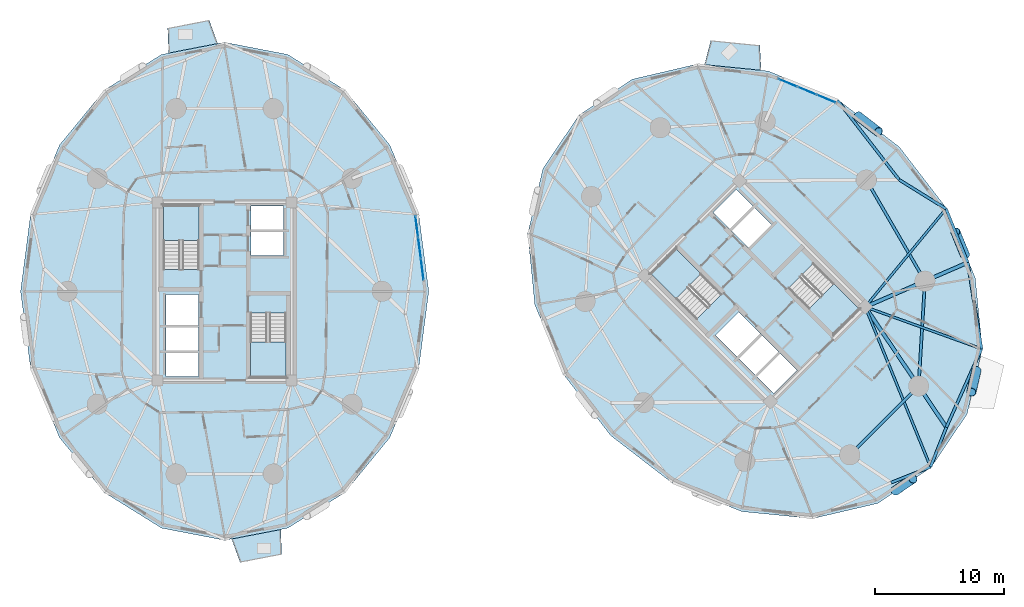
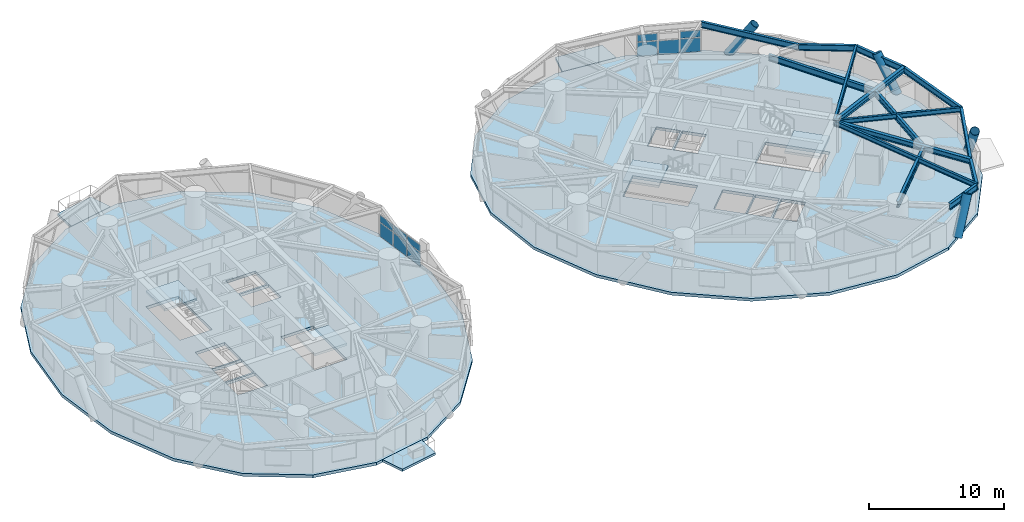
# One storey, part 7 of 19: 15 beams, 11 plates, 9 slabs, 4 members, 6 elements without a shape of their own.
"""IFC4 building model written with IfcOpenShell, lengths in metres."""

from ifc_helpers import new_model, si_unit, direction, frame, origin, origin_2d, place, context, subcontext, project, spatial, polyline, rectangle, hollow_circle, i_section, outline, extrude, source, transform, mapped, material, layer, layer_set, material_profile, profile_set, type_object, element, aggregate, save


model = new_model("IFC4")

# Units and contexts
model_context = context("Model", 3, precision=1e-05, world=origin(), true_north=direction((0.0, 1.0)))
body_context = subcontext(model_context, "Body", "Model", "MODEL_VIEW")
ifc_project = project(units=[si_unit("LENGTHUNIT", "METRE"), si_unit("AREAUNIT", "SQUARE_METRE"), si_unit("VOLUMEUNIT", "CUBIC_METRE"), si_unit("PLANEANGLEUNIT", "RADIAN"), si_unit("MASSUNIT", "GRAM", prefix="KILO")], contexts=[model_context])

# Site, building, storey
site_placement = place(None, origin())
site = spatial("IfcSite", under=ifc_project, at=site_placement, CompositionType="ELEMENT")
building_placement = place(site_placement, origin())
building = spatial("IfcBuilding", under=site, at=building_placement, Name="Cununo Teusaquillo Station Towers", CompositionType="ELEMENT")
storey_placement = place(building_placement, frame((0.0, 0.0, 33.639892578125)))
storey = spatial("IfcBuildingStorey", under=building, at=storey_placement, Name="L09", CompositionType="ELEMENT", Elevation=33.639892578125)

# Beams
ifc_material_1 = material(Name="Steel ASTM A572 Grade 50", Category="steel")
ifc_material_profile_1 = material_profile(ifc_material_1, i_section(OverallWidth=0.180908203125, OverallDepth=0.4169921875, WebThickness=0.010986328125, FlangeThickness=0.018310546875, FilletRadius=0.012939453125, at=origin_2d()), Name="W16X57")
ifc_profile_set_1 = profile_set([ifc_material_profile_1], Name="Steel ASTM A572 Grade 50")
beam_type_1 = type_object("IfcBeamType", Name="BM-JOIST-1", PredefinedType="JOIST", material=ifc_profile_set_1)
beam_1_placement = place(storey_placement, frame((66.024169921875, 23.29443359375, 2.441650390625), z_axis=(0.377815437796, -0.92588092915, 0.0), x_axis=(0.92588092915, 0.377815437796, 0.0)))
element("IfcBeam", 1, at=beam_1_placement, inside=storey, type_object=beam_type_1, Name="L09 Tower B Radial Spandrel Joist V15", PredefinedType="JOIST", context=body_context, shape_type="SweptSolid", body=[
    extrude(i_section(OverallWidth=0.180908203125, OverallDepth=0.4169921875, WebThickness=0.010986328125, FlangeThickness=0.018310546875, FilletRadius=0.012939453125, at=origin_2d()), origin(), (0.0, 0.0, 1.0), 13.353515625),
])
beam_2_placement = place(storey_placement, frame((66.024169921875, 23.29443359375, 2.441650390625), z_axis=(0.940761914171, -0.33906787056, 0.0), x_axis=(0.33906787056, 0.940761914171, 0.0)))
element("IfcBeam", 2, at=beam_2_placement, inside=storey, type_object=beam_type_1, Name="L09 Tower B Radial Spandrel Joist V17", PredefinedType="JOIST", context=body_context, shape_type="SweptSolid", body=[
    extrude(i_section(OverallWidth=0.180908203125, OverallDepth=0.4169921875, WebThickness=0.010986328125, FlangeThickness=0.018310546875, FilletRadius=0.012939453125, at=origin_2d()), origin(), (0.0, 0.0, 1.0), 9.552734375),
])
beam_3_placement = place(storey_placement, frame((66.024169921875, 23.29443359375, 2.441650390625), z_axis=(0.635389148475, 0.772192093976, 0.0), x_axis=(-0.772192093976, 0.635389148475, 0.0)))
element("IfcBeam", 3, at=beam_3_placement, inside=storey, type_object=beam_type_1, Name="L09 Tower B Radial Spandrel Joist V19", PredefinedType="JOIST", context=body_context, shape_type="SweptSolid", body=[
    extrude(i_section(OverallWidth=0.180908203125, OverallDepth=0.4169921875, WebThickness=0.010986328125, FlangeThickness=0.018310546875, FilletRadius=0.012939453125, at=origin_2d()), origin(), (0.0, 0.0, 1.0), 9.82080078125),
])
ifc_material_2 = material(Name="Steel ASTM A572 Grade 50", Category="steel")
ifc_material_profile_2 = material_profile(ifc_material_2, i_section(OverallWidth=0.280029296875, OverallDepth=0.462890625, WebThickness=0.0107421875, FlangeThickness=0.017333984375, FilletRadius=0.013916015625, at=origin_2d()), Name="W18X76")
ifc_profile_set_2 = profile_set([ifc_material_profile_2], Name="Steel ASTM A572 Grade 50")
beam_type_2 = type_object("IfcBeamType", Name="BM-RAD-G1", PredefinedType="BEAM", material=ifc_profile_set_2)
beam_4_placement = place(storey_placement, frame((66.024169921875, 23.29443359375, 2.418701171875), z_axis=(0.558565249978, -0.829460584667, 0.0), x_axis=(0.829460584667, 0.558565249978, 0.0)))
element("IfcBeam", 4, at=beam_4_placement, inside=storey, type_object=beam_type_2, Name="L09 Tower B Continuous Overhanging Radial Girder 09", PredefinedType="BEAM", context=body_context, shape_type="SweptSolid", body=[
    extrude(i_section(OverallWidth=0.280029296875, OverallDepth=0.462890625, WebThickness=0.0107421875, FlangeThickness=0.017333984375, FilletRadius=0.013916015625, at=origin_2d()), origin(), (0.0, 0.0, 1.0), 11.22119140625),
])
beam_5_placement = place(storey_placement, frame((66.024169921875, 23.29443359375, 2.418701171875), z_axis=(0.91765947108, 0.397367707718, 0.0), x_axis=(-0.397367707718, 0.91765947108, 0.0)))
element("IfcBeam", 5, at=beam_5_placement, inside=storey, type_object=beam_type_2, Name="L09 Tower B Continuous Overhanging Radial Girder 10", PredefinedType="BEAM", context=body_context, shape_type="SweptSolid", body=[
    extrude(i_section(OverallWidth=0.280029296875, OverallDepth=0.462890625, WebThickness=0.0107421875, FlangeThickness=0.017333984375, FilletRadius=0.013916015625, at=origin_2d()), origin(), (0.0, 0.0, 1.0), 8.631591796875),
])
ifc_material_3 = material(Name="Steel ASTM A572 Grade 50", Category="steel")
ifc_material_profile_3 = material_profile(ifc_material_3, i_section(OverallWidth=0.214111328125, OverallDepth=0.549072265625, WebThickness=0.0146484375, FlangeThickness=0.023681640625, FilletRadius=0.014892578125, at=origin_2d()), Name="W21X93")
ifc_profile_set_3 = profile_set([ifc_material_profile_3], Name="Steel ASTM A572 Grade 50")
beam_type_3 = type_object("IfcBeamType", Name="BM-RING-Z1", PredefinedType="SPANDREL", material=ifc_profile_set_3)
beam_6_placement = place(storey_placement, frame((64.826904296875, 11.853759765625, 2.37548828125), z_axis=(0.707106781187, 0.707106781187, 0.0), x_axis=(-0.707106781187, 0.707106781187, 0.0)))
element("IfcBeam", 6, at=beam_6_placement, inside=storey, type_object=beam_type_3, Name="L09 Tower B Structural Column Ring Girder 08", PredefinedType="SPANDREL", context=body_context, shape_type="SweptSolid", body=[
    extrude(i_section(OverallWidth=0.214111328125, OverallDepth=0.549072265625, WebThickness=0.0146484375, FlangeThickness=0.023681640625, FilletRadius=0.014892578125, at=origin_2d()), origin(), (0.0, 0.0, 1.0), 7.522705078125),
])
beam_7_placement = place(storey_placement, frame((70.146240234375, 17.173095703125, 2.37548828125), z_axis=(0.06012979176, 0.998190567048, 0.0), x_axis=(-0.998190567048, 0.06012979176, 0.0)))
element("IfcBeam", 7, at=beam_7_placement, inside=storey, type_object=beam_type_3, Name="L09 Tower B Structural Column Ring Girder 09", PredefinedType="SPANDREL", context=body_context, shape_type="SweptSolid", body=[
    extrude(i_section(OverallWidth=0.214111328125, OverallDepth=0.549072265625, WebThickness=0.0146484375, FlangeThickness=0.023681640625, FilletRadius=0.014892578125, at=origin_2d()), origin(), (0.0, 0.0, 1.0), 8.132568359375),
])
beam_8_placement = place(storey_placement, frame((70.63525390625, 25.291015625, 2.37548828125), z_axis=(-0.501311121078, 0.865267103202, 0.0), x_axis=(-0.865267103202, -0.501311121078, 0.0)))
element("IfcBeam", 8, at=beam_8_placement, inside=storey, type_object=beam_type_3, Name="L09 Tower B Structural Column Ring Girder 10", PredefinedType="SPANDREL", context=body_context, shape_type="SweptSolid", body=[
    extrude(i_section(OverallWidth=0.214111328125, OverallDepth=0.549072265625, WebThickness=0.0146484375, FlangeThickness=0.023681640625, FilletRadius=0.014892578125, at=origin_2d()), origin(), (0.0, 0.0, 1.0), 9.032958984375),
])
beam_9_placement = place(storey_placement, frame((68.635986328125, 33.12841796875, 2.37548828125), z_axis=(-0.612801480015, 0.790236892388, 0.0), x_axis=(-0.790236892388, -0.612801480015, 0.0)))
element("IfcBeam", 9, at=beam_9_placement, inside=storey, type_object=beam_type_3, Name="L09 Tower B Spandrel Ring Beam 01", PredefinedType="SPANDREL", context=body_context, shape_type="SweptSolid", body=[
    extrude(i_section(OverallWidth=0.214111328125, OverallDepth=0.549072265625, WebThickness=0.0146484375, FlangeThickness=0.023681640625, FilletRadius=0.014892578125, at=origin_2d()), origin(), (0.0, 0.0, 1.0), 7.764404296875),
])
for number, where, z_axis, x_axis, name in (
    (10, (68.01318359375, 9.7080078125, 2.37548828125), (0.928456228871, 0.371441827304, 0.0), (-0.371441827304, 0.928456228871, 0.0), "L09 Tower B Spandrel Ring Beam 15"),
    (11, (71.0693359375, 10.9306640625, 2.37548828125), (0.371441827304, 0.928456228871, 0.0), (-0.928456228871, 0.371441827304, 0.0), "L09 Tower B Spandrel Ring Beam 16"),
):
    element("IfcBeam", number, at=place(storey_placement, frame(where, z_axis=z_axis, x_axis=x_axis)), inside=storey, type_object=beam_type_3, Name=name, PredefinedType="SPANDREL", context=body_context, shape_type="SweptSolid", body=[
        extrude(i_section(OverallWidth=0.214111328125, OverallDepth=0.549072265625, WebThickness=0.0146484375, FlangeThickness=0.023681640625, FilletRadius=0.014892578125, at=origin_2d()), origin(), (0.0, 0.0, 1.0), 3.291748046875),
    ])
beam_10_placement = place(storey_placement, frame((72.2919921875, 13.98681640625, 2.37548828125), z_axis=(0.408878798951, 0.912588695836, 0.0), x_axis=(-0.912588695836, 0.408878798951, 0.0)))
element("IfcBeam", 12, at=beam_10_placement, inside=storey, type_object=beam_type_3, Name="L09 Tower B Spandrel Ring Beam 17", PredefinedType="SPANDREL", context=body_context, shape_type="SweptSolid", body=[
    extrude(i_section(OverallWidth=0.214111328125, OverallDepth=0.549072265625, WebThickness=0.0146484375, FlangeThickness=0.023681640625, FilletRadius=0.014892578125, at=origin_2d()), origin(), (0.0, 0.0, 1.0), 6.64990234375),
])
beam_11_placement = place(storey_placement, frame((75.010986328125, 20.055419921875, 2.37548828125), z_axis=(-0.157829770834, 0.987466335344, 0.0), x_axis=(-0.987466335344, -0.157829770834, 0.0)))
element("IfcBeam", 13, at=beam_11_placement, inside=storey, type_object=beam_type_3, Name="L09 Tower B Spandrel Ring Beam 18", PredefinedType="SPANDREL", context=body_context, shape_type="SweptSolid", body=[
    extrude(i_section(OverallWidth=0.214111328125, OverallDepth=0.549072265625, WebThickness=0.0146484375, FlangeThickness=0.023681640625, FilletRadius=0.014892578125, at=origin_2d()), origin(), (0.0, 0.0, 1.0), 6.753662109375),
])
beam_12_placement = place(storey_placement, frame((73.945068359375, 26.724365234375, 2.37548828125), z_axis=(-0.375135909025, 0.926969821386, 0.0), x_axis=(-0.926969821386, -0.375135909025, 0.0)))
element("IfcBeam", 14, at=beam_12_placement, inside=storey, type_object=beam_type_3, Name="L09 Tower B Spandrel Ring Beam 19", PredefinedType="SPANDREL", context=body_context, shape_type="SweptSolid", body=[
    extrude(i_section(OverallWidth=0.214111328125, OverallDepth=0.549072265625, WebThickness=0.0146484375, FlangeThickness=0.023681640625, FilletRadius=0.014892578125, at=origin_2d()), origin(), (0.0, 0.0, 1.0), 4.480712890625),
])
beam_13_placement = place(storey_placement, frame((72.26416015625, 30.8779296875, 2.37548828125), z_axis=(-0.849795627585, 0.527112313779, 0.0), x_axis=(-0.527112313779, -0.849795627585, 0.0)))
element("IfcBeam", 15, at=beam_13_placement, inside=storey, type_object=beam_type_3, Name="L09 Tower B Spandrel Ring Beam 20", PredefinedType="SPANDREL", context=body_context, shape_type="SweptSolid", body=[
    extrude(i_section(OverallWidth=0.214111328125, OverallDepth=0.549072265625, WebThickness=0.0146484375, FlangeThickness=0.023681640625, FilletRadius=0.014892578125, at=origin_2d()), origin(), (0.0, 0.0, 1.0), 4.26953125),
])

# Members
ifc_material_4 = material(Name="Steel EN 10025-2 S355J2", Category="steel")
ifc_material_profile_4 = material_profile(ifc_material_4, hollow_circle(Radius=0.360107421875, WallThickness=0.028076171875, at=origin_2d()), Name="CHS 720x28")
ifc_profile_set_4 = profile_set([ifc_material_profile_4], Name="Steel EN 10025-2 S355J2")
member_type = type_object("IfcMemberType", Name="MBR-DIAG-Z1", PredefinedType="BRACE", material=ifc_profile_set_4)
member_1_placement = place(storey_placement, frame((65.456787109375, 38.0478515625, -0.139892578125), z_axis=(0.447692466526, -0.344905930844, 0.824991729828), x_axis=(0.610296565482, 0.792173025394, 0.0)))
element("IfcMember", 16, at=member_1_placement, inside=storey, type_object=member_type, Name="L09 Tower B Folded-Zigzag Diagrid Tube C00", PredefinedType="BRACE", context=body_context, shape_type="SweptSolid", body=[
    extrude(hollow_circle(Radius=0.360107421875, WallThickness=0.028076171875, at=origin_2d()), origin(), (0.0, 0.0, 1.0), 3.527099609375),
])
member_2_placement = place(storey_placement, frame((68.3369140625, 9.08349609375, -0.139892578125), z_axis=(0.408468387245, 0.276132221041, 0.870002628229), x_axis=(-0.560052437376, 0.828457160866, 0.0)))
element("IfcMember", 17, at=member_2_placement, inside=storey, type_object=member_type, Name="L09 Tower B Folded-Zigzag Diagrid Tube C14", PredefinedType="BRACE", context=body_context, shape_type="SweptSolid", body=[
    extrude(hollow_circle(Radius=0.360107421875, WallThickness=0.028076171875, at=origin_2d()), origin(), (0.0, 0.0, 1.0), 3.3447265625),
])
member_3_placement = place(storey_placement, frame((74.62060546875, 18.380126953125, -0.139892578125), z_axis=(-0.115410822859, -0.495659873141, 0.860814516679), x_axis=(0.973946828543, -0.226776487252, 0.0)))
element("IfcMember", 18, at=member_3_placement, inside=storey, type_object=member_type, Name="L09 Tower B Folded-Zigzag Diagrid Tube C16", PredefinedType="BRACE", context=body_context, shape_type="SweptSolid", body=[
    extrude(hollow_circle(Radius=0.360107421875, WallThickness=0.028076171875, at=origin_2d()), origin(), (0.0, 0.0, 1.0), 3.38037109375),
])
member_4_placement = place(storey_placement, frame((73.7333984375, 27.303466796875, -0.139892578125), z_axis=(-0.210304590189, 0.511678266791, 0.83304101378), x_axis=(-0.924923854391, -0.380152421508, 0.0)))
element("IfcMember", 19, at=member_4_placement, inside=storey, type_object=member_type, Name="L09 Tower B Folded-Zigzag Diagrid Tube C18", PredefinedType="BRACE", context=body_context, shape_type="SweptSolid", body=[
    extrude(hollow_circle(Radius=0.360107421875, WallThickness=0.028076171875, at=origin_2d()), origin(), (0.0, 0.0, 1.0), 3.4931640625),
])

# Slabs
ifc_material_5 = material(Name="Concrete C50/60", Category="concrete")
ifc_layer_1 = layer(ifc_material_5, 0.2099609375)
ifc_layer_set_1 = layer_set([ifc_layer_1], Name="Concrete C50/60")
slab_type_1 = type_object("IfcSlabType", Name="SLB-BAL-210", PredefinedType="FLOOR", material=ifc_layer_set_1)
slab_1_placement = place(storey_placement, frame((0.0, 0.0, -0.2099609375)))
element("IfcSlab", 20, at=slab_1_placement, inside=storey, type_object=slab_type_1, Name="L09 Tower A Tree Balcony Slab 1", PredefinedType="FLOOR", context=body_context, shape_type="SweptSolid", body=[
    extrude(outline(polyline([(15.958984375, 43.650634765625), (12.1630859375, 42.9169921875), (12.09423828125, 44.854248046875), (15.30126953125, 45.473876953125), (15.958984375, 43.650634765625)])), origin(), (0.0, 0.0, 1.0), 0.2099609375),
])
slab_2_placement = place(storey_placement, frame((0.0, 0.0, -0.2099609375)))
element("IfcSlab", 21, at=slab_2_placement, inside=storey, type_object=slab_type_1, Name="L09 Tower A Tree Balcony Slab 2", PredefinedType="FLOOR", context=body_context, shape_type="SweptSolid", body=[
    extrude(outline(polyline([(17.041015625, 5.349365234375), (20.8369140625, 6.0830078125), (20.90576171875, 4.145751953125), (17.69873046875, 3.526123046875), (17.041015625, 5.349365234375)])), origin(), (0.0, 0.0, 1.0), 0.2099609375),
])
slab_3_placement = place(storey_placement, frame((0.0, 0.0, -0.2099609375)))
element("IfcSlab", 22, at=slab_3_placement, inside=storey, type_object=slab_type_1, Name="L09 Tower B Tree Balcony Slab 1", PredefinedType="FLOOR", context=body_context, shape_type="SweptSolid", body=[
    extrude(outline(polyline([(57.97900390625, 41.586669921875), (53.59375, 42.02099609375), (54.081298828125, 43.897216796875), (57.869140625, 43.52197265625), (57.97900390625, 41.586669921875)])), origin(), (0.0, 0.0, 1.0), 0.2099609375),
])

# Stair, slab
ifc_material_6 = material(Name="Concrete C50/60", Category="concrete")
stair_type = type_object("IfcStairType", Name="ST-TWR-1300", PredefinedType="HALF_TURN_STAIR", material=ifc_material_6)
stair_1_placement = place(storey_placement, origin())
stair_1 = element("IfcStair", 23, at=stair_1_placement, inside=storey, type_object=stair_type, Name="L09 Tower A Protected Core Exit Stair 1", PredefinedType="HALF_TURN_STAIR")
ifc_material_7 = material(Name="Concrete C50/60", Category="concrete")
ifc_layer_2 = layer(ifc_material_7, 0.199951171875)
ifc_layer_set_2 = layer_set([ifc_layer_2], Name="Concrete C50/60")
slab_type_2 = type_object("IfcSlabType", Name="SLB-STAIR-LND", PredefinedType="LANDING", material=ifc_layer_set_2)
slab_4_placement = place(storey_placement, frame((0.0, 0.0, 1.255126953125)))
slab_4 = element("IfcSlab", 24, at=slab_4_placement, type_object=slab_type_2, Name="ST-T1-1 landing 1", PredefinedType="LANDING", context=body_context, shape_type="SweptSolid", body=[
    extrude(outline(polyline([(14.52001953125, 28.409912109375), (14.52001953125, 31.159912109375), (11.760009765625, 31.159912109375), (11.760009765625, 28.409912109375), (14.52001953125, 28.409912109375)])), origin(), (0.0, 0.0, 1.0), 0.199951171875),
])
aggregate(stair_1, [slab_4])

stair_2_placement = place(storey_placement, origin())
stair_2 = element("IfcStair", 25, at=stair_2_placement, inside=storey, type_object=stair_type, Name="L09 Tower A Protected Core Exit Stair 2", PredefinedType="HALF_TURN_STAIR")
slab_5_placement = place(storey_placement, frame((0.0, 0.0, 1.255126953125)))
slab_5 = element("IfcSlab", 26, at=slab_5_placement, type_object=slab_type_2, Name="ST-T1-2 landing 1", PredefinedType="LANDING", context=body_context, shape_type="SweptSolid", body=[
    extrude(outline(polyline([(18.47998046875, 20.590087890625), (18.47998046875, 17.840087890625), (21.239990234375, 17.840087890625), (21.239990234375, 20.590087890625), (18.47998046875, 20.590087890625)])), origin(), (0.0, 0.0, 1.0), 0.199951171875),
])
aggregate(stair_2, [slab_5])

stair_3_placement = place(storey_placement, origin())
stair_3 = element("IfcStair", 27, at=stair_3_placement, inside=storey, type_object=stair_type, Name="L09 Tower B Protected Core Exit Stair 1", PredefinedType="HALF_TURN_STAIR")
slab_6_placement = place(storey_placement, frame((0.0, 0.0, 1.255126953125)))
slab_6 = element("IfcSlab", 28, at=slab_6_placement, type_object=slab_type_2, Name="ST-T2-1 landing 1", PredefinedType="LANDING", context=body_context, shape_type="SweptSolid", body=[
    extrude(outline(polyline([(53.335205078125, 25.86474609375), (51.390625, 27.809326171875), (49.43896484375, 25.857666015625), (51.383544921875, 23.9130859375), (53.335205078125, 25.86474609375)])), origin(), (0.0, 0.0, 1.0), 0.199951171875),
])
aggregate(stair_3, [slab_6])

stair_4_placement = place(storey_placement, origin())
stair_4 = element("IfcStair", 29, at=stair_4_placement, inside=storey, type_object=stair_type, Name="L09 Tower B Protected Core Exit Stair 2", PredefinedType="HALF_TURN_STAIR")
slab_7_placement = place(storey_placement, frame((0.0, 0.0, 1.255126953125)))
slab_7 = element("IfcSlab", 30, at=slab_7_placement, type_object=slab_type_2, Name="ST-T2-2 landing 1", PredefinedType="LANDING", context=body_context, shape_type="SweptSolid", body=[
    extrude(outline(polyline([(61.664794921875, 23.13525390625), (63.609375, 21.190673828125), (65.56103515625, 23.142333984375), (63.616455078125, 25.0869140625), (61.664794921875, 23.13525390625)])), origin(), (0.0, 0.0, 1.0), 0.199951171875),
])
aggregate(stair_4, [slab_7])

# Slabs
ifc_material_8 = material(Name="Concrete C50/60", Category="concrete")
ifc_layer_3 = layer(ifc_material_8, 0.260009765625)
ifc_layer_set_3 = layer_set([ifc_layer_3], Name="Concrete C50/60")
slab_type_3 = type_object("IfcSlabType", Name="SLB-Z1-260", PredefinedType="FLOOR", material=ifc_layer_set_3)
slab_8_placement = place(storey_placement, frame((0.0, 0.0, -0.260009765625)))
element("IfcSlab", 31, at=slab_8_placement, inside=storey, type_object=slab_type_3, Name="L09 Tower A Floor Slab", PredefinedType="FLOOR", context=body_context, shape_type="SweptSolid", body=[
    extrude(outline(polyline([(32.279052734375, 24.5), (31.506591796875, 30.448486328125), (29.265380859375, 35.81494140625), (25.774658203125, 40.073486328125), (21.3759765625, 42.807861328125), (16.5, 43.75), (11.6240234375, 42.807861328125), (7.225341796875, 40.073486328125), (3.734619140625, 35.81494140625), (1.493408203125, 30.448486328125), (0.720947265625, 24.5), (1.493408203125, 18.551513671875), (3.734619140625, 13.18505859375), (7.225341796875, 8.926513671875), (11.6240234375, 6.192138671875), (16.5, 5.25), (21.3759765625, 6.192138671875), (25.774658203125, 8.926513671875), (29.265380859375, 13.18505859375), (31.506591796875, 18.551513671875), (32.279052734375, 24.5)]), holes=[polyline([(14.52001953125, 26.176025390625), (14.52001953125, 31.159912109375), (11.760009765625, 31.159912109375), (11.760009765625, 26.176025390625), (14.52001953125, 26.176025390625)]), polyline([(18.47998046875, 22.823974609375), (18.47998046875, 17.840087890625), (21.239990234375, 17.840087890625), (21.239990234375, 22.823974609375), (18.47998046875, 22.823974609375)]), polyline([(11.949951171875, 21.85009765625), (14.47998046875, 21.85009765625), (14.47998046875, 24.25), (11.949951171875, 24.25), (11.949951171875, 21.85009765625)]), polyline([(11.949951171875, 17.89990234375), (14.47998046875, 17.89990234375), (14.47998046875, 19.75), (11.949951171875, 19.75), (11.949951171875, 17.89990234375)]), polyline([(11.949951171875, 19.89990234375), (14.47998046875, 19.89990234375), (14.47998046875, 21.75), (11.949951171875, 21.75), (11.949951171875, 19.89990234375)]), polyline([(18.52001953125, 27.25), (21.050048828125, 27.25), (21.050048828125, 29.10009765625), (18.52001953125, 29.10009765625), (18.52001953125, 27.25)]), polyline([(18.52001953125, 29.25), (21.050048828125, 29.25), (21.050048828125, 31.10009765625), (18.52001953125, 31.10009765625), (18.52001953125, 29.25)])]), origin(), (0.0, 0.0, 1.0), 0.260009765625),
])
slab_9_placement = place(storey_placement, frame((0.0, 0.0, -0.260009765625)))
element("IfcSlab", 32, at=slab_9_placement, inside=storey, type_object=slab_type_3, Name="L09 Tower B Floor Slab", PredefinedType="FLOOR", context=body_context, shape_type="SweptSolid", body=[
    extrude(outline(polyline([(68.657470703125, 35.657470703125), (63.905029296875, 39.317626953125), (58.525634765625, 41.52734375), (53.0458984375, 42.0703125), (48.002197265625, 40.893310546875), (43.88818359375, 38.11181640625), (41.106689453125, 33.997802734375), (39.9296875, 28.9541015625), (40.47265625, 23.474365234375), (42.682373046875, 18.094970703125), (46.342529296875, 13.342529296875), (51.094970703125, 9.682373046875), (56.474365234375, 7.47265625), (61.9541015625, 6.9296875), (66.997802734375, 8.106689453125), (71.11181640625, 10.88818359375), (73.893310546875, 15.002197265625), (75.0703125, 20.0458984375), (74.52734375, 25.525634765625), (72.317626953125, 30.905029296875), (68.657470703125, 35.657470703125)]), holes=[polyline([(54.914794921875, 24.28515625), (51.390625, 27.809326171875), (49.43896484375, 25.857666015625), (52.963134765625, 22.33349609375), (54.914794921875, 24.28515625)]), polyline([(60.085205078125, 24.71484375), (63.609375, 21.190673828125), (65.56103515625, 23.142333984375), (62.036865234375, 26.66650390625), (60.085205078125, 24.71484375)]), polyline([(56.156494140625, 19.40869140625), (57.945556640625, 21.19775390625), (56.248291015625, 22.89501953125), (54.45947265625, 21.10595703125), (56.156494140625, 19.40869140625)]), polyline([(58.94970703125, 16.61572265625), (60.738525390625, 18.40478515625), (59.430419921875, 19.712890625), (57.641357421875, 17.923828125), (58.94970703125, 16.61572265625)]), polyline([(57.535400390625, 18.030029296875), (59.32421875, 19.819091796875), (58.01611328125, 21.127197265625), (56.227294921875, 19.338134765625), (57.535400390625, 18.030029296875)]), polyline([(56.98388671875, 27.872802734375), (58.772705078125, 29.661865234375), (57.464599609375, 30.969970703125), (55.67578125, 29.180908203125), (56.98388671875, 27.872802734375)]), polyline([(55.569580078125, 29.287109375), (57.358642578125, 31.076171875), (56.05029296875, 32.38427734375), (54.261474609375, 30.59521484375), (55.569580078125, 29.287109375)])]), origin(), (0.0, 0.0, 1.0), 0.260009765625),
])

# Curtain wall, plates
ifc_material_9 = material(Name="Ceramic-fritted dark low-E double glazing", Category="glass")
ifc_layer_4 = layer(ifc_material_9, 0.179931640625)
ifc_layer_set_4 = layer_set([ifc_layer_4], Name="Ceramic-fritted dark low-E double glazing")
curtain_wall_type = type_object("IfcCurtainWallType", Name="CW-SYS-02", PredefinedType="USERDEFINED", material=ifc_layer_set_4)
curtain_wall_1_placement = place(storey_placement, origin())
curtain_wall_1 = element("IfcCurtainWall", 33, at=curtain_wall_1_placement, inside=storey, type_object=curtain_wall_type, Name="L09 Tower A Facade Curtain Wall C00", ObjectType="FRITTED GLAZING", PredefinedType="USERDEFINED")
ifc_material_10 = material(Name="Ceramic-fritted dark low-E double glazing", Category="glass")
ifc_layer_5 = layer(ifc_material_10, 0.028076171875)
ifc_layer_set_5 = layer_set([ifc_layer_5], Name="Ceramic-fritted dark low-E double glazing")
plate_type = type_object("IfcPlateType", Name="CWP-FRIT-28", PredefinedType="CURTAIN_PANEL", material=ifc_layer_set_5)
shared_shape_1 = source(origin(), body_context, "Body", "SweptSolid", [
    extrude(rectangle(XDim=1.58203125, YDim=0.028076171875, at=origin_2d()), origin(), (0.0, 0.0, 1.0), 1.241943359375),
])
plate_1_placement = place(storey_placement, frame((31.350830078125, 29.50830078125, 0.0703125), z_axis=(0.0, 0.0, 1.0), x_axis=(0.128335588771, -0.991730798481, 0.0)))
plate_1 = element("IfcPlate", 34, at=plate_1_placement, type_object=plate_type, Name="CW-02 panel 1.1", PredefinedType="CURTAIN_PANEL", context=body_context, shape_type="MappedRepresentation", body=[
    mapped(shared_shape_1, transform((0.0, 0.0, 0.0), x_axis=(1.0, 0.0, 0.0), y_axis=(0.0, 1.0, 0.0), z_axis=(0.0, 0.0, 1.0), scale=1.0)),
])
plate_2_placement = place(storey_placement, frame((31.779296875, 26.19677734375, 0.0703125), z_axis=(0.0, 0.0, 1.0), x_axis=(0.128335588771, -0.991730798481, 0.0)))
plate_2 = element("IfcPlate", 35, at=plate_2_placement, type_object=plate_type, Name="CW-02 panel 3.1", PredefinedType="CURTAIN_PANEL", context=body_context, shape_type="MappedRepresentation", body=[
    mapped(shared_shape_1, transform((0.0, 0.0, 0.0), x_axis=(1.0, 0.0, 0.0), y_axis=(0.0, 1.0, 0.0), z_axis=(0.0, 0.0, 1.0), scale=1.0)),
])
shared_shape_2 = source(origin(), body_context, "Body", "SweptSolid", [
    extrude(rectangle(XDim=1.58203125, YDim=0.028076171875, at=origin_2d()), origin(), (0.0, 0.0, 1.0), 0.62109375),
])
plate_3_placement = place(storey_placement, frame((31.350830078125, 29.50830078125, 1.382080078125), z_axis=(0.0, 0.0, 1.0), x_axis=(0.128335588771, -0.991730798481, 0.0)))
plate_3 = element("IfcPlate", 36, at=plate_3_placement, type_object=plate_type, Name="CW-02 panel 1.2", PredefinedType="CURTAIN_PANEL", context=body_context, shape_type="MappedRepresentation", body=[
    mapped(shared_shape_2, transform((0.0, 0.0, 0.0), x_axis=(1.0, 0.0, 0.0), y_axis=(0.0, 1.0, 0.0), z_axis=(0.0, 0.0, 1.0), scale=1.0)),
])
plate_4_placement = place(storey_placement, frame((31.779296875, 26.19677734375, 1.382080078125), z_axis=(0.0, 0.0, 1.0), x_axis=(0.128335588771, -0.991730798481, 0.0)))
plate_4 = element("IfcPlate", 37, at=plate_4_placement, type_object=plate_type, Name="CW-02 panel 3.2", PredefinedType="CURTAIN_PANEL", context=body_context, shape_type="MappedRepresentation", body=[
    mapped(shared_shape_2, transform((0.0, 0.0, 0.0), x_axis=(1.0, 0.0, 0.0), y_axis=(0.0, 1.0, 0.0), z_axis=(0.0, 0.0, 1.0), scale=1.0)),
])
shared_shape_3 = source(origin(), body_context, "Body", "SweptSolid", [
    extrude(rectangle(XDim=1.616943359375, YDim=0.028076171875, at=origin_2d()), origin(), (0.0, 0.0, 1.0), 1.241943359375),
])
plate_5_placement = place(storey_placement, frame((31.565185546875, 27.8525390625, 0.0703125), z_axis=(0.0, 0.0, 1.0), x_axis=(0.128335588771, -0.991730798481, 0.0)))
plate_5 = element("IfcPlate", 38, at=plate_5_placement, type_object=plate_type, Name="CW-02 panel 2.1", PredefinedType="CURTAIN_PANEL", context=body_context, shape_type="MappedRepresentation", body=[
    mapped(shared_shape_3, transform((0.0, 0.0, 0.0), x_axis=(1.0, 0.0, 0.0), y_axis=(0.0, 1.0, 0.0), z_axis=(0.0, 0.0, 1.0), scale=1.0)),
])
shared_shape_4 = source(origin(), body_context, "Body", "SweptSolid", [
    extrude(rectangle(XDim=1.616943359375, YDim=0.028076171875, at=origin_2d()), origin(), (0.0, 0.0, 1.0), 0.62109375),
])
plate_6_placement = place(storey_placement, frame((31.565185546875, 27.8525390625, 1.382080078125), z_axis=(0.0, 0.0, 1.0), x_axis=(0.128335588771, -0.991730798481, 0.0)))
plate_6 = element("IfcPlate", 39, at=plate_6_placement, type_object=plate_type, Name="CW-02 panel 2.2", PredefinedType="CURTAIN_PANEL", context=body_context, shape_type="MappedRepresentation", body=[
    mapped(shared_shape_4, transform((0.0, 0.0, 0.0), x_axis=(1.0, 0.0, 0.0), y_axis=(0.0, 1.0, 0.0), z_axis=(0.0, 0.0, 1.0), scale=1.0)),
])
aggregate(curtain_wall_1, [plate_1, plate_3, plate_5, plate_6, plate_2, plate_4])

curtain_wall_2_placement = place(storey_placement, origin())
curtain_wall_2 = element("IfcCurtainWall", 40, at=curtain_wall_2_placement, inside=storey, type_object=curtain_wall_type, Name="L09 Tower B Facade Curtain Wall C01", ObjectType="FRITTED GLAZING", PredefinedType="USERDEFINED")
shared_shape_5 = source(origin(), body_context, "Body", "SweptSolid", [
    extrude(rectangle(XDim=1.52099609375, YDim=0.028076171875, at=origin_2d()), origin(), (0.0, 0.0, 1.0), 1.241943359375),
])
plate_7_placement = place(storey_placement, frame((60.03564453125, 40.610595703125, 0.0703125), z_axis=(0.0, 0.0, 1.0), x_axis=(0.924552379146, -0.381054980568, 0.0)))
plate_7 = element("IfcPlate", 41, at=plate_7_placement, type_object=plate_type, Name="CW-02 panel 1.1", PredefinedType="CURTAIN_PANEL", context=body_context, shape_type="MappedRepresentation", body=[
    mapped(shared_shape_5, transform((0.0, 0.0, 0.0), x_axis=(1.0, 0.0, 0.0), y_axis=(0.0, 1.0, 0.0), z_axis=(0.0, 0.0, 1.0), scale=1.0)),
])
plate_8_placement = place(storey_placement, frame((63.010009765625, 39.384765625, 0.0703125), z_axis=(0.0, 0.0, 1.0), x_axis=(0.924552379146, -0.381054980568, 0.0)))
plate_8 = element("IfcPlate", 42, at=plate_8_placement, type_object=plate_type, Name="CW-02 panel 3.1", PredefinedType="CURTAIN_PANEL", context=body_context, shape_type="MappedRepresentation", body=[
    mapped(shared_shape_5, transform((0.0, 0.0, 0.0), x_axis=(1.0, 0.0, 0.0), y_axis=(0.0, 1.0, 0.0), z_axis=(0.0, 0.0, 1.0), scale=1.0)),
])
shared_shape_6 = source(origin(), body_context, "Body", "SweptSolid", [
    extrude(rectangle(XDim=1.52099609375, YDim=0.028076171875, at=origin_2d()), origin(), (0.0, 0.0, 1.0), 0.62109375),
])
plate_9_placement = place(storey_placement, frame((60.03564453125, 40.610595703125, 1.382080078125), z_axis=(0.0, 0.0, 1.0), x_axis=(0.924552379146, -0.381054980568, 0.0)))
plate_9 = element("IfcPlate", 43, at=plate_9_placement, type_object=plate_type, Name="CW-02 panel 1.2", PredefinedType="CURTAIN_PANEL", context=body_context, shape_type="MappedRepresentation", body=[
    mapped(shared_shape_6, transform((0.0, 0.0, 0.0), x_axis=(1.0, 0.0, 0.0), y_axis=(0.0, 1.0, 0.0), z_axis=(0.0, 0.0, 1.0), scale=1.0)),
])
plate_10_placement = place(storey_placement, frame((63.010009765625, 39.384765625, 1.382080078125), z_axis=(0.0, 0.0, 1.0), x_axis=(0.924552379146, -0.381054980568, 0.0)))
plate_10 = element("IfcPlate", 44, at=plate_10_placement, type_object=plate_type, Name="CW-02 panel 3.2", PredefinedType="CURTAIN_PANEL", context=body_context, shape_type="MappedRepresentation", body=[
    mapped(shared_shape_6, transform((0.0, 0.0, 0.0), x_axis=(1.0, 0.0, 0.0), y_axis=(0.0, 1.0, 0.0), z_axis=(0.0, 0.0, 1.0), scale=1.0)),
])
shared_shape_7 = source(origin(), body_context, "Body", "SweptSolid", [
    extrude(rectangle(XDim=1.555908203125, YDim=0.028076171875, at=origin_2d()), origin(), (0.0, 0.0, 1.0), 1.241943359375),
])
plate_11_placement = place(storey_placement, frame((61.52294921875, 39.99755859375, 0.0703125), z_axis=(0.0, 0.0, 1.0), x_axis=(0.924552379146, -0.381054980568, 0.0)))
plate_11 = element("IfcPlate", 45, at=plate_11_placement, type_object=plate_type, Name="CW-02 panel 2.1", PredefinedType="CURTAIN_PANEL", context=body_context, shape_type="MappedRepresentation", body=[
    mapped(shared_shape_7, transform((0.0, 0.0, 0.0), x_axis=(1.0, 0.0, 0.0), y_axis=(0.0, 1.0, 0.0), z_axis=(0.0, 0.0, 1.0), scale=1.0)),
])
aggregate(curtain_wall_2, [plate_7, plate_9, plate_11, plate_8, plate_10])

save(model, "model.ifc")
